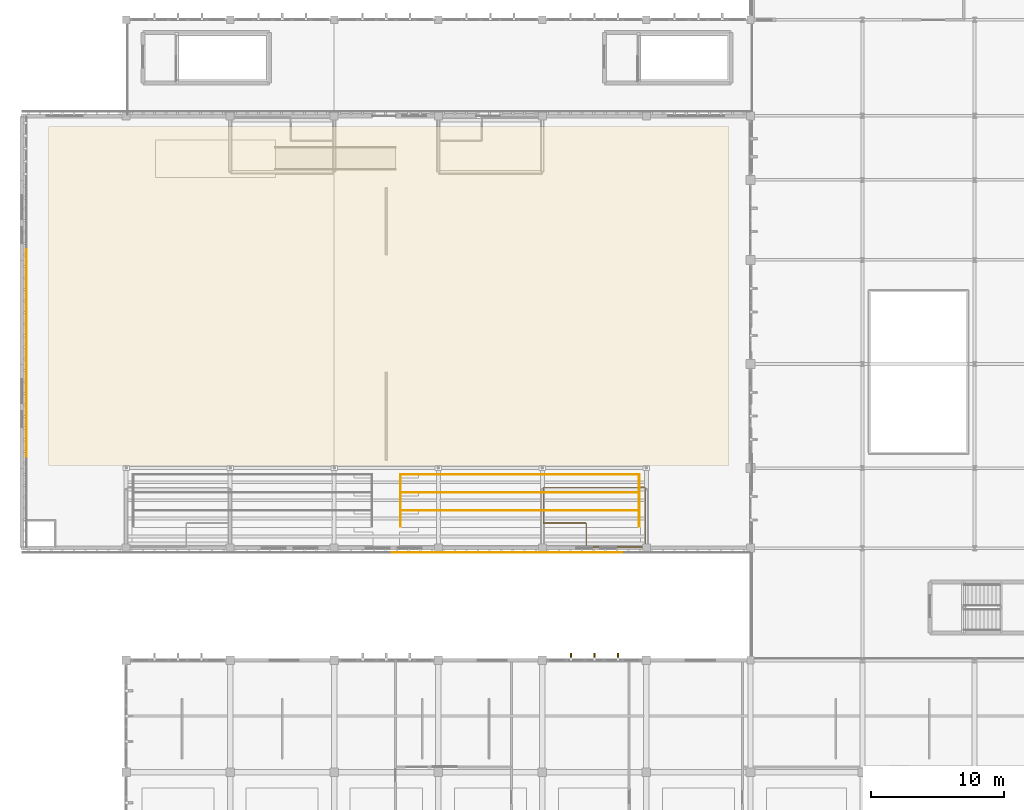
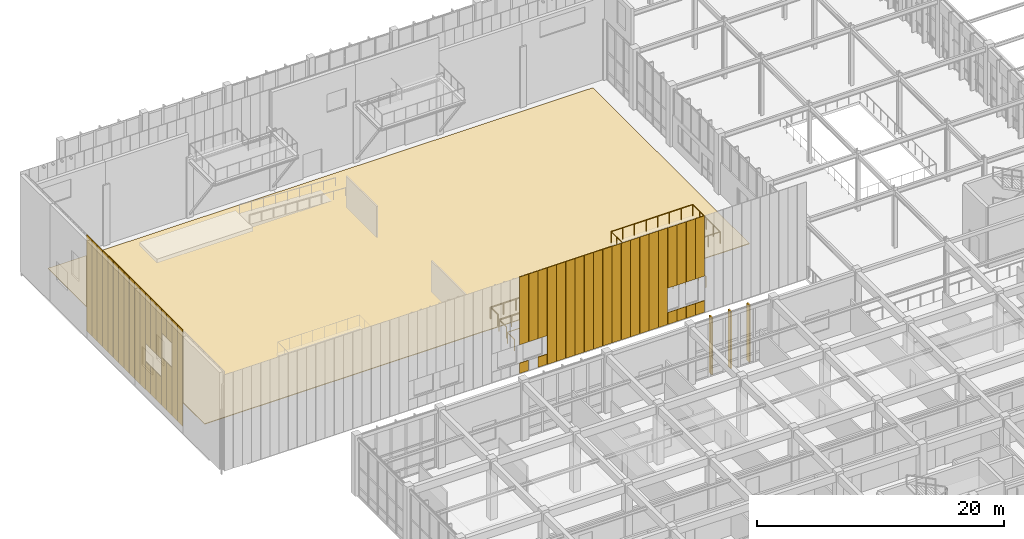
# One storey, part 93 of 105: 53 coverings, 4 railings.
"""IFC4 building model written with IfcOpenShell, lengths in metres."""

from ifc_helpers import new_model, si_unit, direction, frame, origin, origin_2d, place, context, subcontext, project, spatial, polyline, rectangle, circle, outline, extrude, material, layer, layer_set, type_object, element, save


model = new_model("IFC4")

# Units and contexts
model_context = context("Model", 3, precision=1e-05, world=origin(), true_north=direction((0.0, 1.0)))
body_context = subcontext(model_context, "Body", "Model", "MODEL_VIEW")
ifc_project = project(units=[si_unit("LENGTHUNIT", "METRE"), si_unit("AREAUNIT", "SQUARE_METRE"), si_unit("VOLUMEUNIT", "CUBIC_METRE"), si_unit("PLANEANGLEUNIT", "RADIAN"), si_unit("MASSUNIT", "GRAM", prefix="KILO")], contexts=[model_context])

# Site, building, storey
site_placement = place(None, origin())
site = spatial("IfcSite", under=ifc_project, at=site_placement, CompositionType="ELEMENT")
building_placement = place(site_placement, origin())
building = spatial("IfcBuilding", under=site, at=building_placement, Name="Tizgana Railside Sports Hall", CompositionType="ELEMENT")
storey_placement = place(building_placement, frame((0.0, 0.0, 6.0)))
storey = spatial("IfcBuildingStorey", under=building, at=storey_placement, Name="L01", CompositionType="ELEMENT", Elevation=6.0)

# Coverings
ifc_material_1 = material(Name="Glulam GL28h", Category="wood")
ifc_layer_1 = layer(ifc_material_1, 0.139892578125, Name="Glulam GL28h")
ifc_layer_set_1 = layer_set([ifc_layer_1], Name="Glulam GL28h")
covering_type_1 = type_object("IfcCoveringType", Name="Mass-Timber Brise-Soleil & Pergola Fin", PredefinedType="CLADDING", material=ifc_layer_set_1)
for number, where, z_axis, x_axis, name in (
    (1, (41.139892578125, 32.679931640625, 0.0400390625), (0.0, 0.0, 1.0), (1.0, 0.0, 0.0), "L01 Timber Brise-Soleil Fin"),
    (2, (42.89990234375, 32.679931640625, 0.0400390625), (0.0, 0.0, 1.0), (1.0, 0.0, 0.0), "L01 Timber Brise-Soleil Fin"),
    (3, (44.659912109375, 32.679931640625, 0.0400390625), (0.0, 0.0, 1.0), (1.0, 0.0, 0.0), "L01 Timber Brise-Soleil Fin"),
):
    element("IfcCovering", number, at=place(storey_placement, frame(where, z_axis=z_axis, x_axis=x_axis)), inside=storey, type_object=covering_type_1, Name=name, PredefinedType="CLADDING", context=body_context, shape_type="SweptSolid", body=[
        extrude(rectangle(XDim=0.1201171875, YDim=0.43994140625, at=origin_2d()), origin(), (0.0, 0.0, 1.0), 5.639892578125),
    ])
ifc_material_2 = material(Name="Anodised perforated aluminium screen", Category="aluminium")
ifc_layer_2 = layer(ifc_material_2, 0.044921875, Name="Anodised perforated aluminium screen")
ifc_layer_set_2 = layer_set([ifc_layer_2], Name="Anodised perforated aluminium screen")
covering_type_2 = type_object("IfcCoveringType", Name="Perforated Aluminium Hall Screen 900", PredefinedType="CLADDING", material=ifc_layer_set_2)
covering_1_placement = place(storey_placement, frame((30.716796875, 40.465087890625, 0.02001953125), z_axis=(0.0, 0.0, 1.0), x_axis=(-1.0, 0.0, 0.0)))
element("IfcCovering", 4, at=covering_1_placement, inside=storey, type_object=covering_type_2, Name="L01 Perforated Screen SCR-0065", PredefinedType="CLADDING", context=body_context, shape_type="SweptSolid", body=[
    extrude(rectangle(XDim=0.84814453125, YDim=0.044921875, at=origin_2d()), origin(), (0.0, 0.0, 1.0), 9.56005859375),
])
covering_2_placement = place(storey_placement, frame((29.850830078125, 40.465087890625, 0.02978515625), z_axis=(0.0, 0.0, 1.0), x_axis=(-1.0, 0.0, 0.0)))
element("IfcCovering", 5, at=covering_2_placement, inside=storey, type_object=covering_type_2, Name="L01 Perforated Spandrel SCR-0066", PredefinedType="CLADDING", context=body_context, shape_type="SweptSolid", body=[
    extrude(rectangle(XDim=0.84814453125, YDim=0.044921875, at=origin_2d()), origin(), (0.0, 0.0, 1.0), 1.010009765625),
])
for number, where, z_axis, x_axis, name in (
    (6, (29.850830078125, 40.465087890625, 2.860107421875), (0.0, 0.0, 1.0), (-1.0, 0.0, 0.0), "L01 Perforated Header SCR-0067"),
    (7, (28.984619140625, 40.465087890625, 2.860107421875), (0.0, 0.0, 1.0), (-1.0, 0.0, 0.0), "L01 Perforated Header SCR-0069"),
):
    element("IfcCovering", number, at=place(storey_placement, frame(where, z_axis=z_axis, x_axis=x_axis)), inside=storey, type_object=covering_type_2, Name=name, PredefinedType="CLADDING", context=body_context, shape_type="SweptSolid", body=[
        extrude(rectangle(XDim=0.84814453125, YDim=0.044921875, at=origin_2d()), origin(), (0.0, 0.0, 1.0), 6.7099609375),
    ])
covering_3_placement = place(storey_placement, frame((28.11865234375, 40.465087890625, 0.02978515625), z_axis=(0.0, 0.0, 1.0), x_axis=(-1.0, 0.0, 0.0)))
element("IfcCovering", 8, at=covering_3_placement, inside=storey, type_object=covering_type_2, Name="L01 Perforated Spandrel SCR-0070", PredefinedType="CLADDING", context=body_context, shape_type="SweptSolid", body=[
    extrude(rectangle(XDim=0.84814453125, YDim=0.044921875, at=origin_2d()), origin(), (0.0, 0.0, 1.0), 1.010009765625),
])
covering_4_placement = place(storey_placement, frame((28.11865234375, 40.465087890625, 2.860107421875), z_axis=(0.0, 0.0, 1.0), x_axis=(-1.0, 0.0, 0.0)))
element("IfcCovering", 9, at=covering_4_placement, inside=storey, type_object=covering_type_2, Name="L01 Perforated Header SCR-0071", PredefinedType="CLADDING", context=body_context, shape_type="SweptSolid", body=[
    extrude(rectangle(XDim=0.84814453125, YDim=0.044921875, at=origin_2d()), origin(), (0.0, 0.0, 1.0), 6.7099609375),
])
for number, where, z_axis, x_axis, name in (
    (10, (38.516845703125, 40.465087890625, 0.02001953125), (0.0, 0.0, 1.0), (-1.0, 0.0, 0.0), "L01 Perforated Screen SCR-0092"),
    (11, (37.65087890625, 40.465087890625, 0.02001953125), (0.0, 0.0, 1.0), (-1.0, 0.0, 0.0), "L01 Perforated Screen SCR-0093"),
    (12, (36.78466796875, 40.465087890625, 0.02001953125), (0.0, 0.0, 1.0), (-1.0, 0.0, 0.0), "L01 Perforated Screen SCR-0094"),
    (13, (35.918701171875, 40.465087890625, 0.02001953125), (0.0, 0.0, 1.0), (-1.0, 0.0, 0.0), "L01 Perforated Screen SCR-0095"),
    (14, (35.052490234375, 40.465087890625, 0.02001953125), (0.0, 0.0, 1.0), (-1.0, 0.0, 0.0), "L01 Perforated Screen SCR-0096"),
    (15, (34.186279296875, 40.465087890625, 0.02001953125), (0.0, 0.0, 1.0), (-1.0, 0.0, 0.0), "L01 Perforated Screen SCR-0097"),
    (16, (33.3203125, 40.465087890625, 0.02001953125), (0.0, 0.0, 1.0), (-1.0, 0.0, 0.0), "L01 Perforated Screen SCR-0098"),
    (17, (32.4541015625, 40.465087890625, 0.02001953125), (0.0, 0.0, 1.0), (-1.0, 0.0, 0.0), "L01 Perforated Screen SCR-0099"),
    (18, (31.588134765625, 40.465087890625, 0.02001953125), (0.0, 0.0, 1.0), (-1.0, 0.0, 0.0), "L01 Perforated Screen SCR-0100"),
):
    element("IfcCovering", number, at=place(storey_placement, frame(where, z_axis=z_axis, x_axis=x_axis)), inside=storey, type_object=covering_type_2, Name=name, PredefinedType="CLADDING", context=body_context, shape_type="SweptSolid", body=[
        extrude(rectangle(XDim=0.84814453125, YDim=0.044921875, at=origin_2d()), origin(), (0.0, 0.0, 1.0), 9.56005859375),
    ])
covering_5_placement = place(storey_placement, frame((44.584716796875, 40.465087890625, 0.0302734375), z_axis=(0.0, 0.0, 1.0), x_axis=(-1.0, 0.0, 0.0)))
element("IfcCovering", 19, at=covering_5_placement, inside=storey, type_object=covering_type_2, Name="L01 Perforated Spandrel SCR-0112", PredefinedType="CLADDING", context=body_context, shape_type="SweptSolid", body=[
    extrude(rectangle(XDim=0.84814453125, YDim=0.044921875, at=origin_2d()), origin(), (0.0, 0.0, 1.0), 1.159912109375),
])
covering_6_placement = place(storey_placement, frame((44.584716796875, 40.465087890625, 3.610107421875), z_axis=(0.0, 0.0, 1.0), x_axis=(-1.0, 0.0, 0.0)))
element("IfcCovering", 20, at=covering_6_placement, inside=storey, type_object=covering_type_2, Name="L01 Perforated Header SCR-0113", PredefinedType="CLADDING", context=body_context, shape_type="SweptSolid", body=[
    extrude(rectangle(XDim=0.84814453125, YDim=0.044921875, at=origin_2d()), origin(), (0.0, 0.0, 1.0), 5.9599609375),
])
covering_7_placement = place(storey_placement, frame((43.718505859375, 40.465087890625, 0.0302734375), z_axis=(0.0, 0.0, 1.0), x_axis=(-1.0, 0.0, 0.0)))
element("IfcCovering", 21, at=covering_7_placement, inside=storey, type_object=covering_type_2, Name="L01 Perforated Spandrel SCR-0114", PredefinedType="CLADDING", context=body_context, shape_type="SweptSolid", body=[
    extrude(rectangle(XDim=0.84814453125, YDim=0.044921875, at=origin_2d()), origin(), (0.0, 0.0, 1.0), 1.159912109375),
])
covering_8_placement = place(storey_placement, frame((43.718505859375, 40.465087890625, 3.610107421875), z_axis=(0.0, 0.0, 1.0), x_axis=(-1.0, 0.0, 0.0)))
element("IfcCovering", 22, at=covering_8_placement, inside=storey, type_object=covering_type_2, Name="L01 Perforated Header SCR-0115", PredefinedType="CLADDING", context=body_context, shape_type="SweptSolid", body=[
    extrude(rectangle(XDim=0.84814453125, YDim=0.044921875, at=origin_2d()), origin(), (0.0, 0.0, 1.0), 5.9599609375),
])
covering_9_placement = place(storey_placement, frame((42.8525390625, 40.465087890625, 0.0302734375), z_axis=(0.0, 0.0, 1.0), x_axis=(-1.0, 0.0, 0.0)))
element("IfcCovering", 23, at=covering_9_placement, inside=storey, type_object=covering_type_2, Name="L01 Perforated Spandrel SCR-0116", PredefinedType="CLADDING", context=body_context, shape_type="SweptSolid", body=[
    extrude(rectangle(XDim=0.84814453125, YDim=0.044921875, at=origin_2d()), origin(), (0.0, 0.0, 1.0), 1.159912109375),
])
covering_10_placement = place(storey_placement, frame((42.8525390625, 40.465087890625, 3.610107421875), z_axis=(0.0, 0.0, 1.0), x_axis=(-1.0, 0.0, 0.0)))
element("IfcCovering", 24, at=covering_10_placement, inside=storey, type_object=covering_type_2, Name="L01 Perforated Header SCR-0117", PredefinedType="CLADDING", context=body_context, shape_type="SweptSolid", body=[
    extrude(rectangle(XDim=0.84814453125, YDim=0.044921875, at=origin_2d()), origin(), (0.0, 0.0, 1.0), 5.9599609375),
])
covering_11_placement = place(storey_placement, frame((41.986328125, 40.465087890625, 0.0302734375), z_axis=(0.0, 0.0, 1.0), x_axis=(-1.0, 0.0, 0.0)))
element("IfcCovering", 25, at=covering_11_placement, inside=storey, type_object=covering_type_2, Name="L01 Perforated Spandrel SCR-0118", PredefinedType="CLADDING", context=body_context, shape_type="SweptSolid", body=[
    extrude(rectangle(XDim=0.84814453125, YDim=0.044921875, at=origin_2d()), origin(), (0.0, 0.0, 1.0), 1.159912109375),
])
covering_12_placement = place(storey_placement, frame((41.986328125, 40.465087890625, 3.610107421875), z_axis=(0.0, 0.0, 1.0), x_axis=(-1.0, 0.0, 0.0)))
element("IfcCovering", 26, at=covering_12_placement, inside=storey, type_object=covering_type_2, Name="L01 Perforated Header SCR-0119", PredefinedType="CLADDING", context=body_context, shape_type="SweptSolid", body=[
    extrude(rectangle(XDim=0.84814453125, YDim=0.044921875, at=origin_2d()), origin(), (0.0, 0.0, 1.0), 5.9599609375),
])
for number, where, z_axis, x_axis, name in (
    (27, (41.120361328125, 40.465087890625, 0.02001953125), (0.0, 0.0, 1.0), (-1.0, 0.0, 0.0), "L01 Perforated Screen SCR-0120"),
    (28, (40.254150390625, 40.465087890625, 0.02001953125), (0.0, 0.0, 1.0), (-1.0, 0.0, 0.0), "L01 Perforated Screen SCR-0121"),
    (29, (39.38818359375, 40.465087890625, 0.02001953125), (0.0, 0.0, 1.0), (-1.0, 0.0, 0.0), "L01 Perforated Screen SCR-0122"),
    (30, (0.3349609375, 54.116943359375, 0.02001953125), (0.0, 0.0, 1.0), (0.0, -1.0, 0.0), "L01 Perforated Screen SCR-0162"),
):
    element("IfcCovering", number, at=place(storey_placement, frame(where, z_axis=z_axis, x_axis=x_axis)), inside=storey, type_object=covering_type_2, Name=name, PredefinedType="CLADDING", context=body_context, shape_type="SweptSolid", body=[
        extrude(rectangle(XDim=0.84814453125, YDim=0.044921875, at=origin_2d()), origin(), (0.0, 0.0, 1.0), 9.56005859375),
    ])
covering_13_placement = place(storey_placement, frame((0.3349609375, 53.250732421875, 0.02978515625), z_axis=(0.0, 0.0, 1.0), x_axis=(0.0, -1.0, 0.0)))
element("IfcCovering", 31, at=covering_13_placement, inside=storey, type_object=covering_type_2, Name="L01 Perforated Spandrel SCR-0163", PredefinedType="CLADDING", context=body_context, shape_type="SweptSolid", body=[
    extrude(rectangle(XDim=0.84814453125, YDim=0.044921875, at=origin_2d()), origin(), (0.0, 0.0, 1.0), 2.760009765625),
])
covering_14_placement = place(storey_placement, frame((0.3349609375, 53.250732421875, 4.610107421875), z_axis=(0.0, 0.0, 1.0), x_axis=(0.0, -1.0, 0.0)))
element("IfcCovering", 32, at=covering_14_placement, inside=storey, type_object=covering_type_2, Name="L01 Perforated Header SCR-0164", PredefinedType="CLADDING", context=body_context, shape_type="SweptSolid", body=[
    extrude(rectangle(XDim=0.84814453125, YDim=0.044921875, at=origin_2d()), origin(), (0.0, 0.0, 1.0), 4.9599609375),
])
covering_15_placement = place(storey_placement, frame((0.3349609375, 52.384765625, 0.02978515625), z_axis=(0.0, 0.0, 1.0), x_axis=(0.0, -1.0, 0.0)))
element("IfcCovering", 33, at=covering_15_placement, inside=storey, type_object=covering_type_2, Name="L01 Perforated Spandrel SCR-0165", PredefinedType="CLADDING", context=body_context, shape_type="SweptSolid", body=[
    extrude(rectangle(XDim=0.84814453125, YDim=0.044921875, at=origin_2d()), origin(), (0.0, 0.0, 1.0), 2.760009765625),
])
covering_16_placement = place(storey_placement, frame((0.3349609375, 52.384765625, 4.610107421875), z_axis=(0.0, 0.0, 1.0), x_axis=(0.0, -1.0, 0.0)))
element("IfcCovering", 34, at=covering_16_placement, inside=storey, type_object=covering_type_2, Name="L01 Perforated Header SCR-0166", PredefinedType="CLADDING", context=body_context, shape_type="SweptSolid", body=[
    extrude(rectangle(XDim=0.84814453125, YDim=0.044921875, at=origin_2d()), origin(), (0.0, 0.0, 1.0), 4.9599609375),
])
covering_17_placement = place(storey_placement, frame((0.3349609375, 51.5185546875, 0.02978515625), z_axis=(0.0, 0.0, 1.0), x_axis=(0.0, -1.0, 0.0)))
element("IfcCovering", 35, at=covering_17_placement, inside=storey, type_object=covering_type_2, Name="L01 Perforated Spandrel SCR-0167", PredefinedType="CLADDING", context=body_context, shape_type="SweptSolid", body=[
    extrude(rectangle(XDim=0.84814453125, YDim=0.044921875, at=origin_2d()), origin(), (0.0, 0.0, 1.0), 2.760009765625),
])
covering_18_placement = place(storey_placement, frame((0.3349609375, 51.5185546875, 4.610107421875), z_axis=(0.0, 0.0, 1.0), x_axis=(0.0, -1.0, 0.0)))
element("IfcCovering", 36, at=covering_18_placement, inside=storey, type_object=covering_type_2, Name="L01 Perforated Header SCR-0168", PredefinedType="CLADDING", context=body_context, shape_type="SweptSolid", body=[
    extrude(rectangle(XDim=0.84814453125, YDim=0.044921875, at=origin_2d()), origin(), (0.0, 0.0, 1.0), 4.9599609375),
])
covering_19_placement = place(storey_placement, frame((0.3349609375, 50.652587890625, 0.02978515625), z_axis=(0.0, 0.0, 1.0), x_axis=(0.0, -1.0, 0.0)))
element("IfcCovering", 37, at=covering_19_placement, inside=storey, type_object=covering_type_2, Name="L01 Perforated Spandrel SCR-0169", PredefinedType="CLADDING", context=body_context, shape_type="SweptSolid", body=[
    extrude(rectangle(XDim=0.84814453125, YDim=0.044921875, at=origin_2d()), origin(), (0.0, 0.0, 1.0), 4.760009765625),
])
covering_20_placement = place(storey_placement, frame((0.3349609375, 50.652587890625, 7.2099609375), z_axis=(0.0, 0.0, 1.0), x_axis=(0.0, -1.0, 0.0)))
element("IfcCovering", 38, at=covering_20_placement, inside=storey, type_object=covering_type_2, Name="L01 Perforated Header SCR-0170", PredefinedType="CLADDING", context=body_context, shape_type="SweptSolid", body=[
    extrude(rectangle(XDim=0.84814453125, YDim=0.044921875, at=origin_2d()), origin(), (0.0, 0.0, 1.0), 2.360107421875),
])
covering_21_placement = place(storey_placement, frame((0.3349609375, 49.786376953125, 0.02978515625), z_axis=(0.0, 0.0, 1.0), x_axis=(0.0, -1.0, 0.0)))
element("IfcCovering", 39, at=covering_21_placement, inside=storey, type_object=covering_type_2, Name="L01 Perforated Spandrel SCR-0171", PredefinedType="CLADDING", context=body_context, shape_type="SweptSolid", body=[
    extrude(rectangle(XDim=0.84814453125, YDim=0.044921875, at=origin_2d()), origin(), (0.0, 0.0, 1.0), 4.760009765625),
])
covering_22_placement = place(storey_placement, frame((0.3349609375, 49.786376953125, 7.2099609375), z_axis=(0.0, 0.0, 1.0), x_axis=(0.0, -1.0, 0.0)))
element("IfcCovering", 40, at=covering_22_placement, inside=storey, type_object=covering_type_2, Name="L01 Perforated Header SCR-0172", PredefinedType="CLADDING", context=body_context, shape_type="SweptSolid", body=[
    extrude(rectangle(XDim=0.84814453125, YDim=0.044921875, at=origin_2d()), origin(), (0.0, 0.0, 1.0), 2.360107421875),
])
for number, where, z_axis, x_axis, name in (
    (41, (0.3349609375, 48.92041015625, 0.02001953125), (0.0, 0.0, 1.0), (0.0, -1.0, 0.0), "L01 Perforated Screen SCR-0173"),
    (42, (0.3349609375, 48.05419921875, 0.02001953125), (0.0, 0.0, 1.0), (0.0, -1.0, 0.0), "L01 Perforated Screen SCR-0174"),
    (43, (0.3349609375, 61.9169921875, 0.02001953125), (0.0, 0.0, 1.0), (0.0, -1.0, 0.0), "L01 Perforated Screen SCR-0176"),
    (44, (0.3349609375, 61.05078125, 0.02001953125), (0.0, 0.0, 1.0), (0.0, -1.0, 0.0), "L01 Perforated Screen SCR-0177"),
    (45, (0.3349609375, 60.184814453125, 0.02001953125), (0.0, 0.0, 1.0), (0.0, -1.0, 0.0), "L01 Perforated Screen SCR-0178"),
    (46, (0.3349609375, 59.318603515625, 0.02001953125), (0.0, 0.0, 1.0), (0.0, -1.0, 0.0), "L01 Perforated Screen SCR-0179"),
    (47, (0.3349609375, 58.452392578125, 0.02001953125), (0.0, 0.0, 1.0), (0.0, -1.0, 0.0), "L01 Perforated Screen SCR-0180"),
    (48, (0.3349609375, 57.58642578125, 0.02001953125), (0.0, 0.0, 1.0), (0.0, -1.0, 0.0), "L01 Perforated Screen SCR-0181"),
    (49, (0.3349609375, 56.72021484375, 0.02001953125), (0.0, 0.0, 1.0), (0.0, -1.0, 0.0), "L01 Perforated Screen SCR-0182"),
    (50, (0.3349609375, 55.854248046875, 0.02001953125), (0.0, 0.0, 1.0), (0.0, -1.0, 0.0), "L01 Perforated Screen SCR-0183"),
    (51, (0.3349609375, 54.988037109375, 0.02001953125), (0.0, 0.0, 1.0), (0.0, -1.0, 0.0), "L01 Perforated Screen SCR-0184"),
):
    element("IfcCovering", number, at=place(storey_placement, frame(where, z_axis=z_axis, x_axis=x_axis)), inside=storey, type_object=covering_type_2, Name=name, PredefinedType="CLADDING", context=body_context, shape_type="SweptSolid", body=[
        extrude(rectangle(XDim=0.84814453125, YDim=0.044921875, at=origin_2d()), origin(), (0.0, 0.0, 1.0), 9.56005859375),
    ])
covering_23_placement = place(storey_placement, frame((0.3349609375, 62.783203125, 0.02001953125), z_axis=(0.0, 0.0, 1.0), x_axis=(0.0, -1.0, 0.0)))
element("IfcCovering", 52, at=covering_23_placement, inside=storey, type_object=covering_type_2, Name="L01 Perforated Screen SCR-0196", PredefinedType="CLADDING", context=body_context, shape_type="SweptSolid", body=[
    extrude(rectangle(XDim=0.83837890625, YDim=0.044921875, at=origin_2d()), origin(), (0.0, 0.0, 1.0), 9.56005859375),
])

# Railings
ifc_material_3 = material(Name="Galvanised steel sheet", Category="steel")
railing_type_1 = type_object("IfcRailingType", Name="Safety Balustrade Guard 1100", PredefinedType="BALUSTRADE", material=ifc_material_3)
railing_1_placement = place(storey_placement, frame((28.3798828125, 42.429931640625, 0.840087890625)))
element("IfcRailing", 53, at=railing_1_placement, inside=storey, type_object=railing_type_1, Name="L01 Stand Guard SGD-0002", PredefinedType="BALUSTRADE", context=body_context, shape_type="SweptSolid", body=[
    extrude(circle(Radius=0.02392578125, at=origin_2d()), frame((0.0, 0.0, 1.09619140625), z_axis=(0.0, 1.0, 0.0), x_axis=(-1.0, 0.0, 0.0)), (0.0, 0.0, 1.0), 1.190185546875),
    extrude(circle(Radius=0.02392578125, at=origin_2d()), frame((0.0, 1.190185546875, 1.09619140625), z_axis=(1.0, 0.0, 0.0), x_axis=(0.0, 1.0, 0.0)), (0.0, 0.0, 1.0), 17.89013671875),
    extrude(circle(Radius=0.02392578125, at=origin_2d()), frame((17.89013671875, 1.190185546875, 1.09619140625), z_axis=(0.0, -1.0, 0.0), x_axis=(1.0, 0.0, 0.0)), (0.0, 0.0, 1.0), 1.190185546875),
    extrude(circle(Radius=0.02099609375, at=origin_2d()), origin(), (0.0, 0.0, 1.0), 1.072021484375),
    extrude(circle(Radius=0.02099609375, at=origin_2d()), frame((0.0, 1.190185546875, 0.0)), (0.0, 0.0, 1.0), 1.072021484375),
    extrude(circle(Radius=0.02099609375, at=origin_2d()), frame((1.192626953125, 1.190185546875, 0.0)), (0.0, 0.0, 1.0), 1.072021484375),
    extrude(circle(Radius=0.02099609375, at=origin_2d()), frame((2.38525390625, 1.190185546875, 0.0)), (0.0, 0.0, 1.0), 1.072021484375),
    extrude(circle(Radius=0.02099609375, at=origin_2d()), frame((3.578125, 1.190185546875, 0.0)), (0.0, 0.0, 1.0), 1.072021484375),
    extrude(circle(Radius=0.02099609375, at=origin_2d()), frame((4.770751953125, 1.190185546875, 0.0)), (0.0, 0.0, 1.0), 1.072021484375),
    extrude(circle(Radius=0.02099609375, at=origin_2d()), frame((5.96337890625, 1.190185546875, 0.0)), (0.0, 0.0, 1.0), 1.072021484375),
    extrude(circle(Radius=0.02099609375, at=origin_2d()), frame((7.156005859375, 1.190185546875, 0.0)), (0.0, 0.0, 1.0), 1.072021484375),
    extrude(circle(Radius=0.02099609375, at=origin_2d()), frame((8.3486328125, 1.190185546875, 0.0)), (0.0, 0.0, 1.0), 1.072021484375),
    extrude(circle(Radius=0.02099609375, at=origin_2d()), frame((9.54150390625, 1.190185546875, 0.0)), (0.0, 0.0, 1.0), 1.072021484375),
    extrude(circle(Radius=0.02099609375, at=origin_2d()), frame((10.734130859375, 1.190185546875, 0.0)), (0.0, 0.0, 1.0), 1.072021484375),
    extrude(circle(Radius=0.02099609375, at=origin_2d()), frame((11.9267578125, 1.190185546875, 0.0)), (0.0, 0.0, 1.0), 1.072021484375),
    extrude(circle(Radius=0.02099609375, at=origin_2d()), frame((13.119384765625, 1.190185546875, 0.0)), (0.0, 0.0, 1.0), 1.072021484375),
    extrude(circle(Radius=0.02099609375, at=origin_2d()), frame((14.31201171875, 1.190185546875, 0.0)), (0.0, 0.0, 1.0), 1.072021484375),
    extrude(circle(Radius=0.02099609375, at=origin_2d()), frame((15.5048828125, 1.190185546875, 0.0)), (0.0, 0.0, 1.0), 1.072021484375),
    extrude(circle(Radius=0.02099609375, at=origin_2d()), frame((16.697509765625, 1.190185546875, 0.0)), (0.0, 0.0, 1.0), 1.072021484375),
    extrude(circle(Radius=0.02099609375, at=origin_2d()), frame((17.89013671875, 1.190185546875, 0.0)), (0.0, 0.0, 1.0), 1.072021484375),
    extrude(circle(Radius=0.02099609375, at=origin_2d()), frame((17.89013671875, 0.0, 0.0)), (0.0, 0.0, 1.0), 1.072021484375),
])
railing_2_placement = place(storey_placement, frame((28.3798828125, 43.780029296875, 1.260009765625)))
element("IfcRailing", 54, at=railing_2_placement, inside=storey, type_object=railing_type_1, Name="L01 Stand Guard SGD-0004", PredefinedType="BALUSTRADE", context=body_context, shape_type="SweptSolid", body=[
    extrude(circle(Radius=0.02392578125, at=origin_2d()), frame((0.0, 0.0, 1.09619140625), z_axis=(0.0, 1.0, 0.0), x_axis=(-1.0, 0.0, 0.0)), (0.0, 0.0, 1.0), 1.18994140625),
    extrude(circle(Radius=0.02392578125, at=origin_2d()), frame((0.0, 1.18994140625, 1.09619140625), z_axis=(1.0, 0.0, 0.0), x_axis=(0.0, 1.0, 0.0)), (0.0, 0.0, 1.0), 17.89013671875),
    extrude(circle(Radius=0.02392578125, at=origin_2d()), frame((17.89013671875, 1.18994140625, 1.09619140625), z_axis=(0.0, -1.0, 0.0), x_axis=(1.0, 0.0, 0.0)), (0.0, 0.0, 1.0), 1.18994140625),
    extrude(circle(Radius=0.02099609375, at=origin_2d()), origin(), (0.0, 0.0, 1.0), 1.072021484375),
    extrude(circle(Radius=0.02099609375, at=origin_2d()), frame((0.0, 1.18994140625, 0.0)), (0.0, 0.0, 1.0), 1.072021484375),
    extrude(circle(Radius=0.02099609375, at=origin_2d()), frame((1.192626953125, 1.18994140625, 0.0)), (0.0, 0.0, 1.0), 1.072021484375),
    extrude(circle(Radius=0.02099609375, at=origin_2d()), frame((2.38525390625, 1.18994140625, 0.0)), (0.0, 0.0, 1.0), 1.072021484375),
    extrude(circle(Radius=0.02099609375, at=origin_2d()), frame((3.578125, 1.18994140625, 0.0)), (0.0, 0.0, 1.0), 1.072021484375),
    extrude(circle(Radius=0.02099609375, at=origin_2d()), frame((4.770751953125, 1.18994140625, 0.0)), (0.0, 0.0, 1.0), 1.072021484375),
    extrude(circle(Radius=0.02099609375, at=origin_2d()), frame((5.96337890625, 1.18994140625, 0.0)), (0.0, 0.0, 1.0), 1.072021484375),
    extrude(circle(Radius=0.02099609375, at=origin_2d()), frame((7.156005859375, 1.18994140625, 0.0)), (0.0, 0.0, 1.0), 1.072021484375),
    extrude(circle(Radius=0.02099609375, at=origin_2d()), frame((8.3486328125, 1.18994140625, 0.0)), (0.0, 0.0, 1.0), 1.072021484375),
    extrude(circle(Radius=0.02099609375, at=origin_2d()), frame((9.54150390625, 1.18994140625, 0.0)), (0.0, 0.0, 1.0), 1.072021484375),
    extrude(circle(Radius=0.02099609375, at=origin_2d()), frame((10.734130859375, 1.18994140625, 0.0)), (0.0, 0.0, 1.0), 1.072021484375),
    extrude(circle(Radius=0.02099609375, at=origin_2d()), frame((11.9267578125, 1.18994140625, 0.0)), (0.0, 0.0, 1.0), 1.072021484375),
    extrude(circle(Radius=0.02099609375, at=origin_2d()), frame((13.119384765625, 1.18994140625, 0.0)), (0.0, 0.0, 1.0), 1.072021484375),
    extrude(circle(Radius=0.02099609375, at=origin_2d()), frame((14.31201171875, 1.18994140625, 0.0)), (0.0, 0.0, 1.0), 1.072021484375),
    extrude(circle(Radius=0.02099609375, at=origin_2d()), frame((15.5048828125, 1.18994140625, 0.0)), (0.0, 0.0, 1.0), 1.072021484375),
    extrude(circle(Radius=0.02099609375, at=origin_2d()), frame((16.697509765625, 1.18994140625, 0.0)), (0.0, 0.0, 1.0), 1.072021484375),
    extrude(circle(Radius=0.02099609375, at=origin_2d()), frame((17.89013671875, 1.18994140625, 0.0)), (0.0, 0.0, 1.0), 1.072021484375),
    extrude(circle(Radius=0.02099609375, at=origin_2d()), frame((17.89013671875, 0.0, 0.0)), (0.0, 0.0, 1.0), 1.072021484375),
])
railing_3_placement = place(storey_placement, frame((28.3798828125, 45.1298828125, 1.679931640625)))
element("IfcRailing", 55, at=railing_3_placement, inside=storey, type_object=railing_type_1, Name="L01 Stand Guard SGD-0006", PredefinedType="BALUSTRADE", context=body_context, shape_type="SweptSolid", body=[
    extrude(circle(Radius=0.02392578125, at=origin_2d()), frame((0.0, 0.0, 1.09619140625), z_axis=(0.0, 1.0, 0.0), x_axis=(-1.0, 0.0, 0.0)), (0.0, 0.0, 1.0), 1.190185546875),
    extrude(circle(Radius=0.02392578125, at=origin_2d()), frame((0.0, 1.190185546875, 1.09619140625), z_axis=(1.0, 0.0, 0.0), x_axis=(0.0, 1.0, 0.0)), (0.0, 0.0, 1.0), 17.89013671875),
    extrude(circle(Radius=0.02392578125, at=origin_2d()), frame((17.89013671875, 1.190185546875, 1.09619140625), z_axis=(0.0, -1.0, 0.0), x_axis=(1.0, 0.0, 0.0)), (0.0, 0.0, 1.0), 1.190185546875),
    extrude(circle(Radius=0.02099609375, at=origin_2d()), origin(), (0.0, 0.0, 1.0), 1.072021484375),
    extrude(circle(Radius=0.02099609375, at=origin_2d()), frame((0.0, 1.190185546875, 0.0)), (0.0, 0.0, 1.0), 1.072021484375),
    extrude(circle(Radius=0.02099609375, at=origin_2d()), frame((1.192626953125, 1.190185546875, 0.0)), (0.0, 0.0, 1.0), 1.072021484375),
    extrude(circle(Radius=0.02099609375, at=origin_2d()), frame((2.38525390625, 1.190185546875, 0.0)), (0.0, 0.0, 1.0), 1.072021484375),
    extrude(circle(Radius=0.02099609375, at=origin_2d()), frame((3.578125, 1.190185546875, 0.0)), (0.0, 0.0, 1.0), 1.072021484375),
    extrude(circle(Radius=0.02099609375, at=origin_2d()), frame((4.770751953125, 1.190185546875, 0.0)), (0.0, 0.0, 1.0), 1.072021484375),
    extrude(circle(Radius=0.02099609375, at=origin_2d()), frame((5.96337890625, 1.190185546875, 0.0)), (0.0, 0.0, 1.0), 1.072021484375),
    extrude(circle(Radius=0.02099609375, at=origin_2d()), frame((7.156005859375, 1.190185546875, 0.0)), (0.0, 0.0, 1.0), 1.072021484375),
    extrude(circle(Radius=0.02099609375, at=origin_2d()), frame((8.3486328125, 1.190185546875, 0.0)), (0.0, 0.0, 1.0), 1.072021484375),
    extrude(circle(Radius=0.02099609375, at=origin_2d()), frame((9.54150390625, 1.190185546875, 0.0)), (0.0, 0.0, 1.0), 1.072021484375),
    extrude(circle(Radius=0.02099609375, at=origin_2d()), frame((10.734130859375, 1.190185546875, 0.0)), (0.0, 0.0, 1.0), 1.072021484375),
    extrude(circle(Radius=0.02099609375, at=origin_2d()), frame((11.9267578125, 1.190185546875, 0.0)), (0.0, 0.0, 1.0), 1.072021484375),
    extrude(circle(Radius=0.02099609375, at=origin_2d()), frame((13.119384765625, 1.190185546875, 0.0)), (0.0, 0.0, 1.0), 1.072021484375),
    extrude(circle(Radius=0.02099609375, at=origin_2d()), frame((14.31201171875, 1.190185546875, 0.0)), (0.0, 0.0, 1.0), 1.072021484375),
    extrude(circle(Radius=0.02099609375, at=origin_2d()), frame((15.5048828125, 1.190185546875, 0.0)), (0.0, 0.0, 1.0), 1.072021484375),
    extrude(circle(Radius=0.02099609375, at=origin_2d()), frame((16.697509765625, 1.190185546875, 0.0)), (0.0, 0.0, 1.0), 1.072021484375),
    extrude(circle(Radius=0.02099609375, at=origin_2d()), frame((17.89013671875, 1.190185546875, 0.0)), (0.0, 0.0, 1.0), 1.072021484375),
    extrude(circle(Radius=0.02099609375, at=origin_2d()), frame((17.89013671875, 0.0, 0.0)), (0.0, 0.0, 1.0), 1.072021484375),
])

# Covering
ifc_material_4 = material(Name="Sprung beech timber", Category="wood")
ifc_layer_3 = layer(ifc_material_4, 0.06494140625, Name="Sprung beech timber")
ifc_layer_set_3 = layer_set([ifc_layer_3], Name="Sprung beech timber")
covering_type_3 = type_object("IfcCoveringType", Name="Sprung Beech Hardwood Court Floor", PredefinedType="FLOORING", material=ifc_layer_set_3)
covering_24_placement = place(storey_placement, origin())
element("IfcCovering", 56, at=covering_24_placement, inside=storey, type_object=covering_type_3, Name="L01 Sprung Sports Floor FLR-0001", PredefinedType="FLOORING", context=body_context, shape_type="SweptSolid", body=[
    extrude(outline(polyline([(2.0, 47.0), (53.0, 47.0), (53.0, 72.39990234375), (2.0, 72.39990234375), (2.0, 47.0)])), origin(), (0.0, 0.0, 1.0), 0.06494140625),
])

# Railing
ifc_material_5 = material(Name="Anodised aluminium", Category="aluminium")
railing_type_2 = type_object("IfcRailingType", Name="Terrace & Track Guard 1150", PredefinedType="BALUSTRADE", material=ifc_material_5)
railing_4_placement = place(storey_placement, frame((42.280029296875, 40.8798828125, 6.0)))
element("IfcRailing", 57, at=railing_4_placement, inside=storey, type_object=railing_type_2, Name="L01 V1 Catwalk SE Guard", PredefinedType="BALUSTRADE", context=body_context, shape_type="SweptSolid", body=[
    extrude(circle(Radius=0.02392578125, at=origin_2d()), frame((0.0, 0.0, 1.1259765625), z_axis=(1.0, 0.0, 0.0), x_axis=(0.0, 1.0, 0.0)), (0.0, 0.0, 1.0), 4.43994140625),
    extrude(circle(Radius=0.02392578125, at=origin_2d()), frame((4.43994140625, 0.0, 1.1259765625), z_axis=(0.0, 1.0, 0.0), x_axis=(-1.0, 0.0, 0.0)), (0.0, 0.0, 1.0), 4.440185546875),
    extrude(circle(Radius=0.02392578125, at=origin_2d()), frame((4.43994140625, 4.440185546875, 1.1259765625), z_axis=(-1.0, 0.0, 0.0), x_axis=(0.0, -1.0, 0.0)), (0.0, 0.0, 1.0), 7.639892578125),
    extrude(circle(Radius=0.02392578125, at=origin_2d()), frame((-3.199951171875, 4.440185546875, 1.1259765625), z_axis=(0.0, -1.0, 0.0), x_axis=(1.0, 0.0, 0.0)), (0.0, 0.0, 1.0), 2.64013671875),
    extrude(circle(Radius=0.02392578125, at=origin_2d()), frame((-3.199951171875, 1.800048828125, 1.1259765625), z_axis=(1.0, 0.0, 0.0), x_axis=(0.0, 1.0, 0.0)), (0.0, 0.0, 1.0), 3.199951171875),
    extrude(circle(Radius=0.02392578125, at=origin_2d()), frame((0.0, 1.800048828125, 1.1259765625), z_axis=(0.0, -1.0, 0.0), x_axis=(1.0, 0.0, 0.0)), (0.0, 0.0, 1.0), 1.719970703125),
    extrude(circle(Radius=0.02099609375, at=origin_2d()), origin(), (0.0, 0.0, 1.0), 1.101806640625),
    extrude(circle(Radius=0.02099609375, at=origin_2d()), frame((1.10986328125, 0.0, 0.0)), (0.0, 0.0, 1.0), 1.101806640625),
    extrude(circle(Radius=0.02099609375, at=origin_2d()), frame((2.219970703125, 0.0, 0.0)), (0.0, 0.0, 1.0), 1.101806640625),
    extrude(circle(Radius=0.02099609375, at=origin_2d()), frame((3.330078125, 0.0, 0.0)), (0.0, 0.0, 1.0), 1.101806640625),
    extrude(circle(Radius=0.02099609375, at=origin_2d()), frame((4.43994140625, 0.0, 0.0)), (0.0, 0.0, 1.0), 1.101806640625),
    extrude(circle(Radius=0.02099609375, at=origin_2d()), frame((4.43994140625, 1.110107421875, 0.0)), (0.0, 0.0, 1.0), 1.101806640625),
    extrude(circle(Radius=0.02099609375, at=origin_2d()), frame((4.43994140625, 2.22021484375, 0.0)), (0.0, 0.0, 1.0), 1.101806640625),
    extrude(circle(Radius=0.02099609375, at=origin_2d()), frame((4.43994140625, 3.330078125, 0.0)), (0.0, 0.0, 1.0), 1.101806640625),
    extrude(circle(Radius=0.02099609375, at=origin_2d()), frame((4.43994140625, 4.440185546875, 0.0)), (0.0, 0.0, 1.0), 1.101806640625),
    extrude(circle(Radius=0.02099609375, at=origin_2d()), frame((3.3486328125, 4.440185546875, 0.0)), (0.0, 0.0, 1.0), 1.101806640625),
    extrude(circle(Radius=0.02099609375, at=origin_2d()), frame((2.257080078125, 4.440185546875, 0.0)), (0.0, 0.0, 1.0), 1.101806640625),
    extrude(circle(Radius=0.02099609375, at=origin_2d()), frame((1.165771484375, 4.440185546875, 0.0)), (0.0, 0.0, 1.0), 1.101806640625),
    extrude(circle(Radius=0.02099609375, at=origin_2d()), frame((0.07421875, 4.440185546875, 0.0)), (0.0, 0.0, 1.0), 1.101806640625),
    extrude(circle(Radius=0.02099609375, at=origin_2d()), frame((-1.01708984375, 4.440185546875, 0.0)), (0.0, 0.0, 1.0), 1.101806640625),
    extrude(circle(Radius=0.02099609375, at=origin_2d()), frame((-2.108642578125, 4.440185546875, 0.0)), (0.0, 0.0, 1.0), 1.101806640625),
    extrude(circle(Radius=0.02099609375, at=origin_2d()), frame((-3.199951171875, 4.440185546875, 0.0)), (0.0, 0.0, 1.0), 1.101806640625),
    extrude(circle(Radius=0.02099609375, at=origin_2d()), frame((-3.199951171875, 3.56005859375, 0.0)), (0.0, 0.0, 1.0), 1.101806640625),
    extrude(circle(Radius=0.02099609375, at=origin_2d()), frame((-3.199951171875, 2.68017578125, 0.0)), (0.0, 0.0, 1.0), 1.101806640625),
    extrude(circle(Radius=0.02099609375, at=origin_2d()), frame((-3.199951171875, 1.800048828125, 0.0)), (0.0, 0.0, 1.0), 1.101806640625),
    extrude(circle(Radius=0.02099609375, at=origin_2d()), frame((-2.13330078125, 1.800048828125, 0.0)), (0.0, 0.0, 1.0), 1.101806640625),
    extrude(circle(Radius=0.02099609375, at=origin_2d()), frame((-1.066650390625, 1.800048828125, 0.0)), (0.0, 0.0, 1.0), 1.101806640625),
    extrude(circle(Radius=0.02099609375, at=origin_2d()), frame((0.0, 1.800048828125, 0.0)), (0.0, 0.0, 1.0), 1.101806640625),
    extrude(circle(Radius=0.02099609375, at=origin_2d()), frame((0.0, 0.93994140625, 0.0)), (0.0, 0.0, 1.0), 1.101806640625),
    extrude(circle(Radius=0.02099609375, at=origin_2d()), frame((0.0, 0.080078125, 0.0)), (0.0, 0.0, 1.0), 1.101806640625),
])

save(model, "model.ifc")
